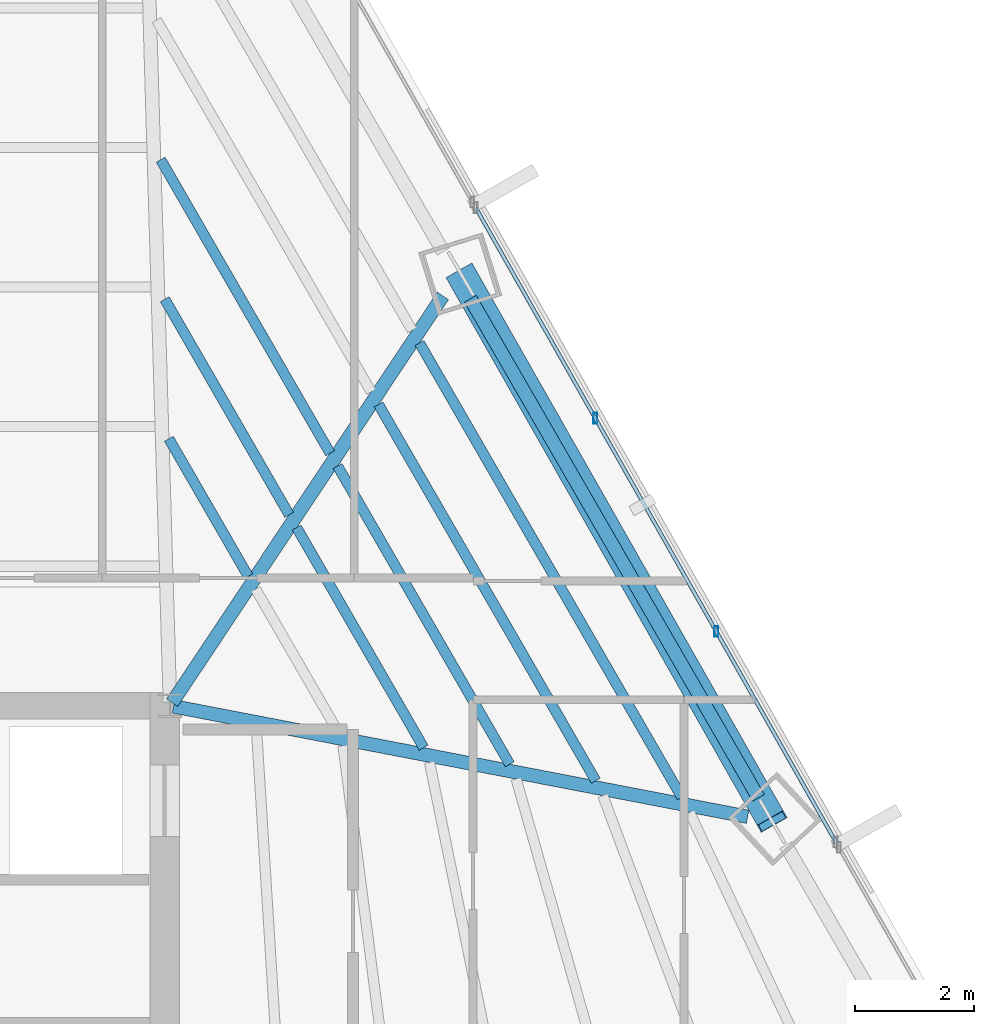
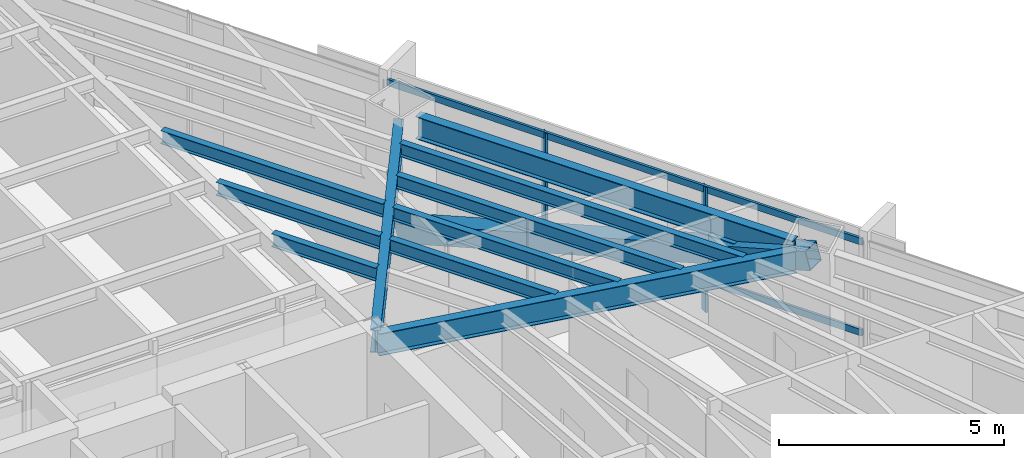
# One storey, part 23 of 37: 10 beams, 5 members, 1 element without a shape of its own.
"""IFC4 building model written with IfcOpenShell, lengths in metres."""

from ifc_helpers import new_model, si_unit, direction, frame, origin, origin_2d, place, context, subcontext, project, spatial, hollow_rectangle, i_section, extrude, source, transform, mapped, material, material_profile, profile_set, type_object, type_shapes, element, aggregate, save


model = new_model("IFC4")

# Units and contexts
model_context = context("Model", 3, precision=1e-05, world=origin(), true_north=direction((0.0, 1.0)))
body_context = subcontext(model_context, "Body", "Model", "MODEL_VIEW")
ifc_project = project(units=[si_unit("LENGTHUNIT", "METRE"), si_unit("AREAUNIT", "SQUARE_METRE"), si_unit("VOLUMEUNIT", "CUBIC_METRE"), si_unit("PLANEANGLEUNIT", "RADIAN"), si_unit("MASSUNIT", "GRAM", prefix="KILO")], contexts=[model_context])

# Site, building, storey
site_placement = place(None, origin())
site = spatial("IfcSite", under=ifc_project, at=site_placement, CompositionType="ELEMENT")
building_placement = place(site_placement, origin())
building = spatial("IfcBuilding", under=site, at=building_placement, Name="Caelisora Broadcast Tower", CompositionType="ELEMENT")
storey_placement = place(building_placement, frame((0.0, 0.0, 120.0)))
storey = spatial("IfcBuildingStorey", under=building, at=storey_placement, Name="L31", CompositionType="ELEMENT", Elevation=120.0)

# Beams
ifc_material_1 = material(Name="Steel Grade 350 (AS/NZS 3679.1)", Category="steel")
ifc_material_profile_1 = material_profile(ifc_material_1, i_section(OverallWidth=0.22900390625, OverallDepth=0.611572265625, WebThickness=0.011962890625, FlangeThickness=0.01953125, at=origin_2d()), Name="Steel Grade 350 (AS/NZS 3679.1)")
ifc_profile_set_1 = profile_set([ifc_material_profile_1], Name="Steel Grade 350 (AS/NZS 3679.1)")
beam_type_1 = type_object("IfcBeamType", Name="PG03", PredefinedType="BEAM", material=ifc_profile_set_1)
shared_shape_1 = source(origin(), body_context, "Body", "SweptSolid", [
    extrude(i_section(OverallWidth=0.22900390625, OverallDepth=0.611572265625, WebThickness=0.011962890625, FlangeThickness=0.01953125, at=origin_2d()), origin(), (0.0, 0.0, 1.0), 9.697265625),
])
type_shapes(beam_type_1, [shared_shape_1])
beam_1_placement = place(storey_placement, frame((55.404296875, 28.44970703125, 3.09423828125), z_axis=(-0.499994865794, 0.866028367999, 0.0), x_axis=(-0.866028367999, -0.499994865794, 0.0)))
element("IfcBeam", 1, at=beam_1_placement, inside=storey, type_object=beam_type_1, Name="L31 beam PG03", PredefinedType="BEAM", context=body_context, shape_type="MappedRepresentation", body=[
    mapped(shared_shape_1, transform((0.0, 0.0, 0.0), scale=1.0)),
])
ifc_material_profile_2 = material_profile(ifc_material_1, i_section(OverallWidth=0.22802734375, OverallDepth=0.602294921875, WebThickness=0.010498046875, FlangeThickness=0.014892578125, at=origin_2d()), Name="Steel Grade 350 (AS/NZS 3679.1)")
ifc_profile_set_2 = profile_set([ifc_material_profile_2], Name="Steel Grade 350 (AS/NZS 3679.1)")
beam_type_2 = type_object("IfcBeamType", Name="PG04", PredefinedType="BEAM", material=ifc_profile_set_2)
shared_shape_2 = source(origin(), body_context, "Body", "SweptSolid", [
    extrude(i_section(OverallWidth=0.22802734375, OverallDepth=0.602294921875, WebThickness=0.010498046875, FlangeThickness=0.014892578125, at=origin_2d()), origin(), (0.0, 0.0, 1.0), 8.22607421875),
])
beam_2_placement = place(storey_placement, frame((45.533203125, 30.0498046875, 3.098876953125), z_axis=(0.554309745647, 0.832310462436, 0.0), x_axis=(-0.832310462436, 0.554309745647, 0.0)))
element("IfcBeam", 2, at=beam_2_placement, inside=storey, type_object=beam_type_2, Name="L31 beam PG04", PredefinedType="BEAM", context=body_context, shape_type="MappedRepresentation", body=[
    mapped(shared_shape_2, transform((0.0, 0.0, 0.0), scale=1.0)),
])
shared_shape_3 = source(origin(), body_context, "Body", "SweptSolid", [
    extrude(i_section(OverallWidth=0.22802734375, OverallDepth=0.602294921875, WebThickness=0.010498046875, FlangeThickness=0.014892578125, at=origin_2d()), origin(), (0.0, 0.0, 1.0), 9.840087890625),
])
type_shapes(beam_type_2, [shared_shape_2, shared_shape_3])
beam_3_placement = place(storey_placement, frame((45.558837890625, 29.98876953125, 3.098876953125), z_axis=(0.98200892443, -0.188834510456, 0.0), x_axis=(0.188834510456, 0.98200892443, 0.0)))
element("IfcBeam", 3, at=beam_3_placement, inside=storey, type_object=beam_type_2, Name="L31 beam PG04", PredefinedType="BEAM", context=body_context, shape_type="MappedRepresentation", body=[
    mapped(shared_shape_3, transform((0.0, 0.0, 0.0), scale=1.0)),
])
ifc_material_profile_3 = material_profile(ifc_material_1, i_section(OverallWidth=0.172119140625, OverallDepth=0.358642578125, WebThickness=0.008056640625, FlangeThickness=0.012939453125, at=origin_2d()), Name="Steel Grade 350 (AS/NZS 3679.1)")
ifc_profile_set_3 = profile_set([ifc_material_profile_3], Name="Steel Grade 350 (AS/NZS 3679.1)")
beam_type_3 = type_object("IfcBeamType", Name="SB02", PredefinedType="JOIST", material=ifc_profile_set_3)
shared_shape_4 = source(origin(), body_context, "Body", "SweptSolid", [
    extrude(i_section(OverallWidth=0.172119140625, OverallDepth=0.358642578125, WebThickness=0.008056640625, FlangeThickness=0.012939453125, at=origin_2d()), origin(), (0.0, 0.0, 1.0), 2.671875),
])
beam_4_placement = place(storey_placement, frame((46.816650390625, 32.177978515625, 3.220703125), z_axis=(-0.499991375441, 0.866030383119, 0.0), x_axis=(-0.866030383119, -0.499991375441, 0.0)))
element("IfcBeam", 4, at=beam_4_placement, inside=storey, type_object=beam_type_3, Name="L31 beam SB02", PredefinedType="JOIST", context=body_context, shape_type="MappedRepresentation", body=[
    mapped(shared_shape_4, transform((0.0, 0.0, 0.0), scale=1.0)),
])
shared_shape_5 = source(origin(), body_context, "Body", "SweptSolid", [
    extrude(i_section(OverallWidth=0.172119140625, OverallDepth=0.358642578125, WebThickness=0.008056640625, FlangeThickness=0.012939453125, at=origin_2d()), origin(), (0.0, 0.0, 1.0), 4.188720703125),
])
beam_5_placement = place(storey_placement, frame((47.506103515625, 33.213134765625, 3.220703125), z_axis=(-0.500031897912, 0.866006986733, 0.0), x_axis=(-0.866006986733, -0.500031897912, 0.0)))
element("IfcBeam", 5, at=beam_5_placement, inside=storey, type_object=beam_type_3, Name="L31 beam SB02", PredefinedType="JOIST", context=body_context, shape_type="MappedRepresentation", body=[
    mapped(shared_shape_5, transform((0.0, 0.0, 0.0), scale=1.0)),
])
shared_shape_6 = source(origin(), body_context, "Body", "SweptSolid", [
    extrude(i_section(OverallWidth=0.172119140625, OverallDepth=0.358642578125, WebThickness=0.008056640625, FlangeThickness=0.012939453125, at=origin_2d()), origin(), (0.0, 0.0, 1.0), 5.705322265625),
])
beam_6_placement = place(storey_placement, frame((48.1953125, 34.248291015625, 3.220703125), z_axis=(-0.499986688891, 0.86603308882, 0.0), x_axis=(-0.86603308882, -0.499986688891, 0.0)))
element("IfcBeam", 6, at=beam_6_placement, inside=storey, type_object=beam_type_3, Name="L31 beam SB02", PredefinedType="JOIST", context=body_context, shape_type="MappedRepresentation", body=[
    mapped(shared_shape_6, transform((0.0, 0.0, 0.0), scale=1.0)),
])
shared_shape_7 = source(origin(), body_context, "Body", "SweptSolid", [
    extrude(i_section(OverallWidth=0.172119140625, OverallDepth=0.358642578125, WebThickness=0.008056640625, FlangeThickness=0.012939453125, at=origin_2d()), origin(), (0.0, 0.0, 1.0), 4.2783203125),
])
beam_7_placement = place(storey_placement, frame((49.769287109375, 29.292724609375, 3.220703125), z_axis=(-0.49993815404, 0.866061107622, 0.0), x_axis=(-0.866061107622, -0.49993815404, 0.0)))
element("IfcBeam", 7, at=beam_7_placement, inside=storey, type_object=beam_type_3, Name="L31 beam SB02", PredefinedType="JOIST", context=body_context, shape_type="MappedRepresentation", body=[
    mapped(shared_shape_7, transform((0.0, 0.0, 0.0), scale=1.0)),
])
shared_shape_8 = source(origin(), body_context, "Body", "SweptSolid", [
    extrude(i_section(OverallWidth=0.172119140625, OverallDepth=0.358642578125, WebThickness=0.008056640625, FlangeThickness=0.012939453125, at=origin_2d()), origin(), (0.0, 0.0, 1.0), 5.795166015625),
])
beam_8_placement = place(storey_placement, frame((51.21728515625, 29.014404296875, 3.220703125), z_axis=(-0.500012970505, 0.86601791513, 0.0), x_axis=(-0.86601791513, -0.500012970505, 0.0)))
element("IfcBeam", 8, at=beam_8_placement, inside=storey, type_object=beam_type_3, Name="L31 beam SB02", PredefinedType="JOIST", context=body_context, shape_type="MappedRepresentation", body=[
    mapped(shared_shape_8, transform((0.0, 0.0, 0.0), scale=1.0)),
])
shared_shape_9 = source(origin(), body_context, "Body", "SweptSolid", [
    extrude(i_section(OverallWidth=0.172119140625, OverallDepth=0.358642578125, WebThickness=0.008056640625, FlangeThickness=0.012939453125, at=origin_2d()), origin(), (0.0, 0.0, 1.0), 7.31201171875),
])
beam_9_placement = place(storey_placement, frame((52.6650390625, 28.736083984375, 3.220703125), z_axis=(-0.500006662879, 0.866021556935, 0.0), x_axis=(-0.866021556935, -0.500006662879, 0.0)))
element("IfcBeam", 9, at=beam_9_placement, inside=storey, type_object=beam_type_3, Name="L31 beam SB02", PredefinedType="JOIST", context=body_context, shape_type="MappedRepresentation", body=[
    mapped(shared_shape_9, transform((0.0, 0.0, 0.0), scale=1.0)),
])
shared_shape_10 = source(origin(), body_context, "Body", "SweptSolid", [
    extrude(i_section(OverallWidth=0.172119140625, OverallDepth=0.358642578125, WebThickness=0.008056640625, FlangeThickness=0.012939453125, at=origin_2d()), origin(), (0.0, 0.0, 1.0), 8.82861328125),
])
type_shapes(beam_type_3, [shared_shape_4, shared_shape_5, shared_shape_6, shared_shape_7, shared_shape_8, shared_shape_9, shared_shape_10])
beam_10_placement = place(storey_placement, frame((54.11279296875, 28.457763671875, 3.220703125), z_axis=(-0.500002522405, 0.866023947468, 0.0), x_axis=(-0.866023947468, -0.500002522405, 0.0)))
element("IfcBeam", 10, at=beam_10_placement, inside=storey, type_object=beam_type_3, Name="L31 beam SB02", PredefinedType="JOIST", context=body_context, shape_type="MappedRepresentation", body=[
    mapped(shared_shape_10, transform((0.0, 0.0, 0.0), scale=1.0)),
])

# Member
ifc_material_2 = material(Name="Steel Grade 450 L15 (AS/NZS 3678)", Category="steel")
ifc_material_profile_4 = material_profile(ifc_material_2, hollow_rectangle(XDim=0.5, YDim=0.5, WallThickness=0.02001953125, at=origin_2d()), Name="Steel Grade 450 L15 (AS/NZS 3678)")
ifc_profile_set_4 = profile_set([ifc_material_profile_4], Name="Steel Grade 450 L15 (AS/NZS 3678)")
member_type_1 = type_object("IfcMemberType", Name="BR02", PredefinedType="BRACE", material=ifc_profile_set_4)
shared_shape_11 = source(origin(), body_context, "Body", "SweptSolid", [
    extrude(hollow_rectangle(XDim=0.5, YDim=0.5, WallThickness=0.02001953125, at=origin_2d()), origin(), (0.0, 0.0, 1.0), 11.017578125),
])
type_shapes(member_type_1, [shared_shape_11])
member_1_placement = place(storey_placement, frame((55.634521484375, 28.05126953125, 3.10009765625), z_axis=(-0.47542673006, 0.836556043497, -0.272292876205), x_axis=(-0.869407095061, -0.494096451169, 0.0)))
element("IfcMember", 11, at=member_1_placement, inside=storey, type_object=member_type_1, Name="L31 perimeter brace BR02", PredefinedType="BRACE", context=body_context, shape_type="MappedRepresentation", body=[
    mapped(shared_shape_11, transform((0.0, 0.0, 0.0), scale=1.0)),
])

# Curtain wall, members
ifc_material_3 = material(Name="Unitised Aluminium Insulated Shadow-Box Spandrel Curtain Wall", Category="aluminium")
curtain_wall_type = type_object("IfcCurtainWallType", Name="CW-SP1", PredefinedType="NOTDEFINED", material=ifc_material_3)
curtain_wall_placement = place(storey_placement, origin())
curtain_wall = element("IfcCurtainWall", 12, at=curtain_wall_placement, inside=storey, type_object=curtain_wall_type, Name="L31 curtain wall CW-SP1", PredefinedType="NOTDEFINED")
ifc_material_4 = material(Name="Aluminium 6063-T6 Anodised Terracotta Bronze", Category="aluminium")
ifc_material_profile_5 = material_profile(ifc_material_4, hollow_rectangle(XDim=0.06494140625, YDim=0.179931640625, WallThickness=0.00341796875, at=origin_2d()), Name="Aluminium 6063-T6 Anodised Terracotta Bronze")
ifc_profile_set_5 = profile_set([ifc_material_profile_5], Name="Aluminium 6063-T6 Anodised Terracotta Bronze")
member_type_2 = type_object("IfcMemberType", Name="CWM-02", PredefinedType="MULLION", material=ifc_profile_set_5)
shared_shape_12 = source(origin(), body_context, "Body", "SweptSolid", [
    extrude(hollow_rectangle(XDim=0.06494140625, YDim=0.179931640625, WallThickness=0.00341796875, at=origin_2d()), origin(), (0.0, 0.0, 1.0), 3.39990234375),
])
type_shapes(member_type_2, [shared_shape_12])
member_2_placement = place(storey_placement, frame((52.657470703125, 34.837890625, 0.0), z_axis=(0.0, 0.0, 1.0), x_axis=(1.0, 0.0, 0.0)))
member_2 = element("IfcMember", 13, at=member_2_placement, type_object=member_type_2, Name="L31-CW-B02 mullion #1", PredefinedType="MULLION", context=body_context, shape_type="MappedRepresentation", body=[
    mapped(shared_shape_12, transform((0.0, 0.0, 0.0), scale=1.0)),
])
member_3_placement = place(storey_placement, frame((54.694091796875, 31.250732421875, 0.0), z_axis=(0.0, 0.0, 1.0), x_axis=(1.0, 0.0, 0.0)))
member_3 = element("IfcMember", 14, at=member_3_placement, type_object=member_type_2, Name="L31-CW-B02 mullion #2", PredefinedType="MULLION", context=body_context, shape_type="MappedRepresentation", body=[
    mapped(shared_shape_12, transform((0.0, 0.0, 0.0), scale=1.0)),
])
ifc_material_profile_6 = material_profile(ifc_material_4, hollow_rectangle(XDim=0.06494140625, YDim=0.179931640625, WallThickness=0.00341796875, at=origin_2d()), Name="Aluminium 6063-T6 Anodised Terracotta Bronze")
ifc_profile_set_6 = profile_set([ifc_material_profile_6], Name="Aluminium 6063-T6 Anodised Terracotta Bronze")
member_type_3 = type_object("IfcMemberType", Name="CWT-01", PredefinedType="USERDEFINED", material=ifc_profile_set_6)
shared_shape_13 = source(origin(), body_context, "Body", "SweptSolid", [
    extrude(hollow_rectangle(XDim=0.06494140625, YDim=0.179931640625, WallThickness=0.00341796875, at=origin_2d()), origin(), (0.0, 0.0, 1.0), 12.27392578125),
])
type_shapes(member_type_3, [shared_shape_13])
member_4_placement = place(storey_placement, frame((50.645751953125, 38.381103515625, 0.85009765625), z_axis=(0.493733596551, -0.869613210362, 0.0), x_axis=(0.869613210362, 0.493733596551, 0.0)))
member_4 = element("IfcMember", 15, at=member_4_placement, type_object=member_type_3, Name="L31-CW-B02 transom #1", ObjectType="TRANSOM", PredefinedType="USERDEFINED", context=body_context, shape_type="MappedRepresentation", body=[
    mapped(shared_shape_13, transform((0.0, 0.0, 0.0), scale=1.0)),
])
member_5_placement = place(storey_placement, frame((50.645751953125, 38.381103515625, 3.320068359375), z_axis=(0.493733596551, -0.869613210362, 0.0), x_axis=(0.869613210362, 0.493733596551, 0.0)))
member_5 = element("IfcMember", 16, at=member_5_placement, type_object=member_type_3, Name="L31-CW-B02 transom #2", ObjectType="TRANSOM", PredefinedType="USERDEFINED", context=body_context, shape_type="MappedRepresentation", body=[
    mapped(shared_shape_13, transform((0.0, 0.0, 0.0), scale=1.0)),
])
aggregate(curtain_wall, [member_2, member_3, member_4, member_5])

save(model, "model.ifc")
